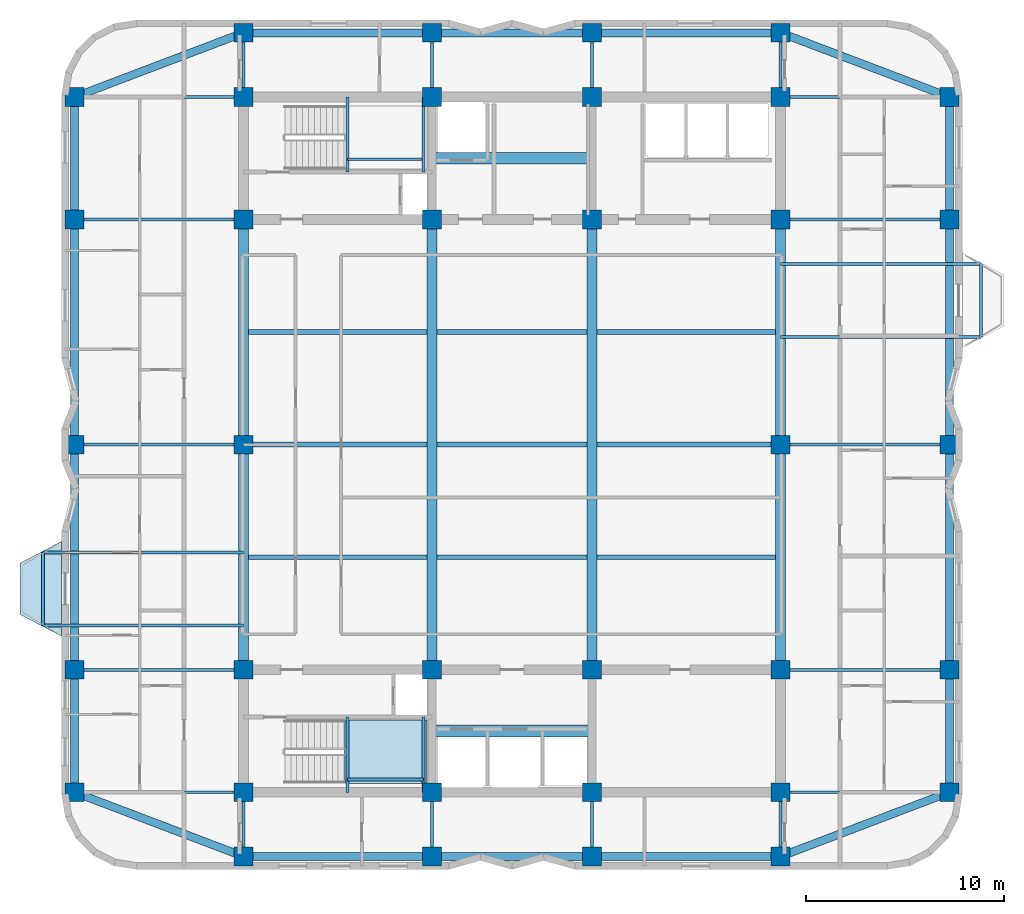
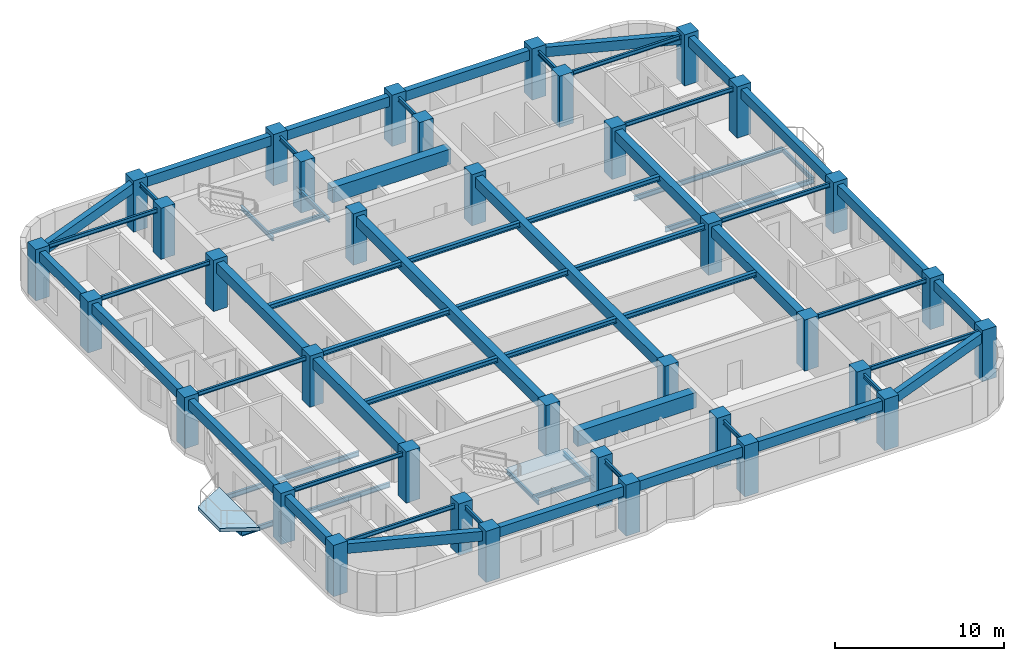
# One storey, part 1 of 8: 65 beams, 36 columns, 2 slabs, 1 element without a shape of its own.
"""IFC4 building model written with IfcOpenShell, lengths in metres."""

from ifc_helpers import new_model, si_unit, direction, frame, origin, origin_2d, place, context, subcontext, project, spatial, polyline, rectangle, i_section, outline, extrude, material, layer, layer_set, material_profile, profile_set, type_object, element, aggregate, save


model = new_model("IFC4")

# Units and contexts
model_context = context("Model", 3, precision=1e-05, world=origin(), true_north=direction((0.0, 1.0)))
body_context = subcontext(model_context, "Body", "Model", "MODEL_VIEW")
ifc_project = project(units=[si_unit("LENGTHUNIT", "METRE"), si_unit("AREAUNIT", "SQUARE_METRE"), si_unit("VOLUMEUNIT", "CUBIC_METRE"), si_unit("PLANEANGLEUNIT", "RADIAN"), si_unit("MASSUNIT", "GRAM", prefix="KILO")], contexts=[model_context])

# Site, building, storey
site_placement = place(None, origin())
site = spatial("IfcSite", under=ifc_project, at=site_placement, CompositionType="ELEMENT")
building_placement = place(site_placement, origin())
building = spatial("IfcBuilding", under=site, at=building_placement, Name="Svetorya Sky Lyceum", CompositionType="ELEMENT")
storey_placement = place(building_placement, frame((0.0, 0.0, 151.5)))
storey = spatial("IfcBuildingStorey", under=building, at=storey_placement, Name="L37", CompositionType="ELEMENT", Elevation=151.5)

# Columns
ifc_material_1 = material(Name="Concrete C50/60", Category="concrete")
ifc_material_profile_1 = material_profile(ifc_material_1, rectangle(XDim=0.949951171875, YDim=0.949951171875, at=origin_2d()), Name="RC COL 950x950")
ifc_profile_set_1 = profile_set([ifc_material_profile_1], Name="Concrete C50/60")
column_type = type_object("IfcColumnType", Name="COL-RC-950", PredefinedType="COLUMN", material=ifc_profile_set_1)
for number, where, z_axis, x_axis, name in (
    (1, (25.60009765625, 10.60009765625, 0.0), (0.0, 0.0, 1.0), (1.0, 0.0, 0.0), "L37 Core Column CS-11"),
    (2, (25.60009765625, 16.800048828125, 0.0), (0.0, 0.0, 1.0), (1.0, 0.0, 0.0), "L37 Core Column CS-12"),
    (3, (35.14990234375, 10.60009765625, 0.0), (0.0, 0.0, 1.0), (1.0, 0.0, 0.0), "L37 Core Column CS-21"),
    (4, (35.14990234375, 16.800048828125, 0.0), (0.0, 0.0, 1.0), (1.0, 0.0, 0.0), "L37 Core Column CS-22"),
    (5, (43.25, 10.60009765625, 0.0), (0.0, 0.0, 1.0), (1.0, 0.0, 0.0), "L37 Core Column CS-31"),
    (6, (43.25, 16.800048828125, 0.0), (0.0, 0.0, 1.0), (1.0, 0.0, 0.0), "L37 Core Column CS-32"),
    (7, (52.800048828125, 10.60009765625, 0.0), (0.0, 0.0, 1.0), (1.0, 0.0, 0.0), "L37 Core Column CS-41"),
    (8, (52.800048828125, 16.800048828125, 0.0), (0.0, 0.0, 1.0), (1.0, 0.0, 0.0), "L37 Core Column CS-42"),
    (9, (25.60009765625, 39.60009765625, 0.0), (0.0, 0.0, 1.0), (1.0, 0.0, 0.0), "L37 Core Column CN-11"),
    (10, (25.60009765625, 45.800048828125, 0.0), (0.0, 0.0, 1.0), (1.0, 0.0, 0.0), "L37 Core Column CN-12"),
    (11, (35.14990234375, 39.60009765625, 0.0), (0.0, 0.0, 1.0), (1.0, 0.0, 0.0), "L37 Core Column CN-21"),
    (12, (35.14990234375, 45.800048828125, 0.0), (0.0, 0.0, 1.0), (1.0, 0.0, 0.0), "L37 Core Column CN-22"),
    (13, (43.25, 39.60009765625, 0.0), (0.0, 0.0, 1.0), (1.0, 0.0, 0.0), "L37 Core Column CN-31"),
    (14, (43.25, 45.800048828125, 0.0), (0.0, 0.0, 1.0), (1.0, 0.0, 0.0), "L37 Core Column CN-32"),
    (15, (52.800048828125, 39.60009765625, 0.0), (0.0, 0.0, 1.0), (1.0, 0.0, 0.0), "L37 Core Column CN-41"),
    (16, (52.800048828125, 45.800048828125, 0.0), (0.0, 0.0, 1.0), (1.0, 0.0, 0.0), "L37 Core Column CN-42"),
    (17, (25.60009765625, 28.199951171875, 0.0), (0.0, 0.0, 1.0), (1.0, 0.0, 0.0), "L37 Core Column CM-W"),
    (18, (52.800048828125, 28.199951171875, 0.0), (0.0, 0.0, 1.0), (1.0, 0.0, 0.0), "L37 Core Column CM-E"),
    (19, (25.60009765625, 7.35009765625, 0.0), (0.0, 0.0, 1.0), (1.0, 0.0, 0.0), "L37 Perimeter Column S1"),
    (20, (25.60009765625, 49.050048828125, 0.0), (0.0, 0.0, 1.0), (1.0, 0.0, 0.0), "L37 Perimeter Column N1"),
    (21, (35.14990234375, 7.35009765625, 0.0), (0.0, 0.0, 1.0), (1.0, 0.0, 0.0), "L37 Perimeter Column S2"),
    (22, (35.14990234375, 49.050048828125, 0.0), (0.0, 0.0, 1.0), (1.0, 0.0, 0.0), "L37 Perimeter Column N2"),
    (23, (43.25, 7.35009765625, 0.0), (0.0, 0.0, 1.0), (1.0, 0.0, 0.0), "L37 Perimeter Column S3"),
    (24, (43.25, 49.050048828125, 0.0), (0.0, 0.0, 1.0), (1.0, 0.0, 0.0), "L37 Perimeter Column N3"),
    (25, (52.800048828125, 7.35009765625, 0.0), (0.0, 0.0, 1.0), (1.0, 0.0, 0.0), "L37 Perimeter Column S4"),
    (26, (52.800048828125, 49.050048828125, 0.0), (0.0, 0.0, 1.0), (1.0, 0.0, 0.0), "L37 Perimeter Column N4"),
    (27, (17.050048828125, 10.60009765625, 0.0), (0.0, 0.0, 1.0), (1.0, 0.0, 0.0), "L37 Perimeter Column W1"),
    (28, (61.35009765625, 10.60009765625, 0.0), (0.0, 0.0, 1.0), (1.0, 0.0, 0.0), "L37 Perimeter Column E1"),
    (29, (17.050048828125, 16.800048828125, 0.0), (0.0, 0.0, 1.0), (1.0, 0.0, 0.0), "L37 Perimeter Column W2"),
    (30, (61.35009765625, 16.800048828125, 0.0), (0.0, 0.0, 1.0), (1.0, 0.0, 0.0), "L37 Perimeter Column E2"),
    (31, (17.050048828125, 28.199951171875, 0.0), (0.0, 0.0, 1.0), (1.0, 0.0, 0.0), "L37 Perimeter Column W3"),
    (32, (61.35009765625, 28.199951171875, 0.0), (0.0, 0.0, 1.0), (1.0, 0.0, 0.0), "L37 Perimeter Column E3"),
    (33, (17.050048828125, 39.60009765625, 0.0), (0.0, 0.0, 1.0), (1.0, 0.0, 0.0), "L37 Perimeter Column W4"),
    (34, (61.35009765625, 39.60009765625, 0.0), (0.0, 0.0, 1.0), (1.0, 0.0, 0.0), "L37 Perimeter Column E4"),
    (35, (17.050048828125, 45.800048828125, 0.0), (0.0, 0.0, 1.0), (1.0, 0.0, 0.0), "L37 Perimeter Column W5"),
    (36, (61.35009765625, 45.800048828125, 0.0), (0.0, 0.0, 1.0), (1.0, 0.0, 0.0), "L37 Perimeter Column E5"),
):
    element("IfcColumn", number, at=place(storey_placement, frame(where, z_axis=z_axis, x_axis=x_axis)), inside=storey, type_object=column_type, Name=name, PredefinedType="COLUMN", context=body_context, shape_type="SweptSolid", body=[
        extrude(rectangle(XDim=0.949951171875, YDim=0.949951171875, at=origin_2d()), origin(), (0.0, 0.0, 1.0), 3.699951171875),
    ])

# Beams
ifc_material_2 = material(Name="Concrete C60/75", Category="concrete")
ifc_material_profile_2 = material_profile(ifc_material_2, rectangle(XDim=0.60009765625, YDim=1.10009765625, at=origin_2d()), Name="RC COUPLING 600x1100")
ifc_profile_set_2 = profile_set([ifc_material_profile_2], Name="Concrete C60/75")
beam_type_1 = type_object("IfcBeamType", Name="BM-CPL-1100", PredefinedType="LINTEL", material=ifc_profile_set_2)
for number, where, z_axis, x_axis, name in (
    (37, (35.14990234375, 13.699951171875, 2.889892578125), (1.0, 0.0, 0.0), (0.0, 1.0, 0.0), "L37 SC Core Coupling Beam"),
    (38, (35.14990234375, 42.699951171875, 2.889892578125), (1.0, 0.0, 0.0), (0.0, 1.0, 0.0), "L37 NC Core Coupling Beam"),
):
    element("IfcBeam", number, at=place(storey_placement, frame(where, z_axis=z_axis, x_axis=x_axis)), inside=storey, type_object=beam_type_1, Name=name, PredefinedType="LINTEL", context=body_context, shape_type="SweptSolid", body=[
        extrude(rectangle(XDim=0.60009765625, YDim=1.10009765625, at=origin_2d()), origin(), (0.0, 0.0, 1.0), 8.10009765625),
    ])
ifc_material_profile_3 = material_profile(ifc_material_1, rectangle(XDim=0.5, YDim=0.75, at=origin_2d()), Name="RC BEAM 500x750")
ifc_profile_set_3 = profile_set([ifc_material_profile_3], Name="Concrete C50/60")
beam_type_2 = type_object("IfcBeamType", Name="BM-RC-750", PredefinedType="BEAM", material=ifc_profile_set_3)
beam_1_placement = place(storey_placement, frame((25.60009765625, 16.800048828125, 3.06494140625), z_axis=(0.0, 1.0, 0.0), x_axis=(-1.0, 0.0, 0.0)))
element("IfcBeam", 39, at=beam_1_placement, inside=storey, type_object=beam_type_2, Name="L37 Central Bay Primary Girder CG-1A", PredefinedType="BEAM", context=body_context, shape_type="SweptSolid", body=[
    extrude(rectangle(XDim=0.5, YDim=0.75, at=origin_2d()), origin(), (0.0, 0.0, 1.0), 11.39990234375),
])
beam_2_placement = place(storey_placement, frame((25.60009765625, 28.199951171875, 3.06494140625), z_axis=(0.0, 1.0, 0.0), x_axis=(-1.0, 0.0, 0.0)))
element("IfcBeam", 40, at=beam_2_placement, inside=storey, type_object=beam_type_2, Name="L37 Central Bay Primary Girder CG-1B", PredefinedType="BEAM", context=body_context, shape_type="SweptSolid", body=[
    extrude(rectangle(XDim=0.5, YDim=0.75, at=origin_2d()), origin(), (0.0, 0.0, 1.0), 11.400146484375),
])
for number, where, z_axis, x_axis, name in (
    (41, (35.14990234375, 16.800048828125, 3.06494140625), (0.0, 1.0, 0.0), (-1.0, 0.0, 0.0), "L37 Central Bay Primary Girder CG-2"),
    (42, (43.25, 16.800048828125, 3.06494140625), (0.0, 1.0, 0.0), (-1.0, 0.0, 0.0), "L37 Central Bay Primary Girder CG-3"),
):
    element("IfcBeam", number, at=place(storey_placement, frame(where, z_axis=z_axis, x_axis=x_axis)), inside=storey, type_object=beam_type_2, Name=name, PredefinedType="BEAM", context=body_context, shape_type="SweptSolid", body=[
        extrude(rectangle(XDim=0.5, YDim=0.75, at=origin_2d()), origin(), (0.0, 0.0, 1.0), 22.800048828125),
    ])
beam_3_placement = place(storey_placement, frame((52.800048828125, 16.800048828125, 3.06494140625), z_axis=(0.0, 1.0, 0.0), x_axis=(-1.0, 0.0, 0.0)))
element("IfcBeam", 43, at=beam_3_placement, inside=storey, type_object=beam_type_2, Name="L37 Central Bay Primary Girder CG-4A", PredefinedType="BEAM", context=body_context, shape_type="SweptSolid", body=[
    extrude(rectangle(XDim=0.5, YDim=0.75, at=origin_2d()), origin(), (0.0, 0.0, 1.0), 11.39990234375),
])
beam_4_placement = place(storey_placement, frame((52.800048828125, 28.199951171875, 3.06494140625), z_axis=(0.0, 1.0, 0.0), x_axis=(-1.0, 0.0, 0.0)))
element("IfcBeam", 44, at=beam_4_placement, inside=storey, type_object=beam_type_2, Name="L37 Central Bay Primary Girder CG-4B", PredefinedType="BEAM", context=body_context, shape_type="SweptSolid", body=[
    extrude(rectangle(XDim=0.5, YDim=0.75, at=origin_2d()), origin(), (0.0, 0.0, 1.0), 11.400146484375),
])
ifc_material_profile_4 = material_profile(ifc_material_1, rectangle(XDim=0.39990234375, YDim=0.699951171875, at=origin_2d()), Name="RC SPANDREL 400x700")
ifc_profile_set_4 = profile_set([ifc_material_profile_4], Name="Concrete C50/60")
beam_type_3 = type_object("IfcBeamType", Name="BM-SPN-700", PredefinedType="SPANDREL", material=ifc_profile_set_4)
beam_5_placement = place(storey_placement, frame((25.60009765625, 7.35009765625, 3.090087890625), z_axis=(1.0, 0.0, 0.0), x_axis=(0.0, 1.0, 0.0)))
element("IfcBeam", 45, at=beam_5_placement, inside=storey, type_object=beam_type_3, Name="L37 South Spandrel 1", PredefinedType="SPANDREL", context=body_context, shape_type="SweptSolid", body=[
    extrude(rectangle(XDim=0.39990234375, YDim=0.699951171875, at=origin_2d()), origin(), (0.0, 0.0, 1.0), 9.5498046875),
])
beam_6_placement = place(storey_placement, frame((35.14990234375, 7.35009765625, 3.090087890625), z_axis=(1.0, 0.0, 0.0), x_axis=(0.0, 1.0, 0.0)))
element("IfcBeam", 46, at=beam_6_placement, inside=storey, type_object=beam_type_3, Name="L37 South Spandrel 2", PredefinedType="SPANDREL", context=body_context, shape_type="SweptSolid", body=[
    extrude(rectangle(XDim=0.39990234375, YDim=0.699951171875, at=origin_2d()), origin(), (0.0, 0.0, 1.0), 8.10009765625),
])
beam_7_placement = place(storey_placement, frame((43.25, 7.35009765625, 3.090087890625), z_axis=(1.0, 0.0, 0.0), x_axis=(0.0, 1.0, 0.0)))
element("IfcBeam", 47, at=beam_7_placement, inside=storey, type_object=beam_type_3, Name="L37 South Spandrel 3", PredefinedType="SPANDREL", context=body_context, shape_type="SweptSolid", body=[
    extrude(rectangle(XDim=0.39990234375, YDim=0.699951171875, at=origin_2d()), origin(), (0.0, 0.0, 1.0), 9.550048828125),
])
beam_8_placement = place(storey_placement, frame((25.60009765625, 49.050048828125, 3.090087890625), z_axis=(1.0, 0.0, 0.0), x_axis=(0.0, 1.0, 0.0)))
element("IfcBeam", 48, at=beam_8_placement, inside=storey, type_object=beam_type_3, Name="L37 North Spandrel 1", PredefinedType="SPANDREL", context=body_context, shape_type="SweptSolid", body=[
    extrude(rectangle(XDim=0.39990234375, YDim=0.699951171875, at=origin_2d()), origin(), (0.0, 0.0, 1.0), 9.5498046875),
])
beam_9_placement = place(storey_placement, frame((35.14990234375, 49.050048828125, 3.090087890625), z_axis=(1.0, 0.0, 0.0), x_axis=(0.0, 1.0, 0.0)))
element("IfcBeam", 49, at=beam_9_placement, inside=storey, type_object=beam_type_3, Name="L37 North Spandrel 2", PredefinedType="SPANDREL", context=body_context, shape_type="SweptSolid", body=[
    extrude(rectangle(XDim=0.39990234375, YDim=0.699951171875, at=origin_2d()), origin(), (0.0, 0.0, 1.0), 8.10009765625),
])
beam_10_placement = place(storey_placement, frame((43.25, 49.050048828125, 3.090087890625), z_axis=(1.0, 0.0, 0.0), x_axis=(0.0, 1.0, 0.0)))
element("IfcBeam", 50, at=beam_10_placement, inside=storey, type_object=beam_type_3, Name="L37 North Spandrel 3", PredefinedType="SPANDREL", context=body_context, shape_type="SweptSolid", body=[
    extrude(rectangle(XDim=0.39990234375, YDim=0.699951171875, at=origin_2d()), origin(), (0.0, 0.0, 1.0), 9.550048828125),
])
for number, where, z_axis, x_axis, name in (
    (51, (25.60009765625, 7.35009765625, 3.090087890625), (-0.934747947367, 0.355311518099, 0.0), (-0.355311518099, -0.934747947367, 0.0), "L37 Corner Spandrel 1"),
    (52, (52.800048828125, 7.35009765625, 3.090087890625), (0.934747947367, 0.355311518099, 0.0), (-0.355311518099, 0.934747947367, 0.0), "L37 Corner Spandrel 2"),
    (53, (61.35009765625, 45.800048828125, 3.090087890625), (-0.934747947367, 0.355311518099, 0.0), (-0.355311518099, -0.934747947367, 0.0), "L37 Corner Spandrel 3"),
    (54, (17.050048828125, 45.800048828125, 3.090087890625), (0.934747947367, 0.355311518099, 0.0), (-0.355311518099, 0.934747947367, 0.0), "L37 Corner Spandrel 4"),
):
    element("IfcBeam", number, at=place(storey_placement, frame(where, z_axis=z_axis, x_axis=x_axis)), inside=storey, type_object=beam_type_3, Name=name, PredefinedType="SPANDREL", context=body_context, shape_type="SweptSolid", body=[
        extrude(rectangle(XDim=0.39990234375, YDim=0.699951171875, at=origin_2d()), origin(), (0.0, 0.0, 1.0), 9.14697265625),
    ])
beam_11_placement = place(storey_placement, frame((17.050048828125, 10.60009765625, 3.090087890625), z_axis=(0.0, 1.0, 0.0), x_axis=(-1.0, 0.0, 0.0)))
element("IfcBeam", 55, at=beam_11_placement, inside=storey, type_object=beam_type_3, Name="L37 West Spandrel 1", PredefinedType="SPANDREL", context=body_context, shape_type="SweptSolid", body=[
    extrude(rectangle(XDim=0.39990234375, YDim=0.699951171875, at=origin_2d()), origin(), (0.0, 0.0, 1.0), 6.199951171875),
])
beam_12_placement = place(storey_placement, frame((17.050048828125, 16.800048828125, 3.090087890625), z_axis=(0.0, 1.0, 0.0), x_axis=(-1.0, 0.0, 0.0)))
element("IfcBeam", 56, at=beam_12_placement, inside=storey, type_object=beam_type_3, Name="L37 West Spandrel 2", PredefinedType="SPANDREL", context=body_context, shape_type="SweptSolid", body=[
    extrude(rectangle(XDim=0.39990234375, YDim=0.699951171875, at=origin_2d()), origin(), (0.0, 0.0, 1.0), 11.39990234375),
])
beam_13_placement = place(storey_placement, frame((17.050048828125, 28.199951171875, 3.090087890625), z_axis=(0.0, 1.0, 0.0), x_axis=(-1.0, 0.0, 0.0)))
element("IfcBeam", 57, at=beam_13_placement, inside=storey, type_object=beam_type_3, Name="L37 West Spandrel 3", PredefinedType="SPANDREL", context=body_context, shape_type="SweptSolid", body=[
    extrude(rectangle(XDim=0.39990234375, YDim=0.699951171875, at=origin_2d()), origin(), (0.0, 0.0, 1.0), 11.400146484375),
])
for number, where, z_axis, x_axis, name in (
    (58, (17.050048828125, 39.60009765625, 3.090087890625), (0.0, 1.0, 0.0), (-1.0, 0.0, 0.0), "L37 West Spandrel 4"),
    (59, (61.35009765625, 10.60009765625, 3.090087890625), (0.0, 1.0, 0.0), (-1.0, 0.0, 0.0), "L37 East Spandrel 1"),
):
    element("IfcBeam", number, at=place(storey_placement, frame(where, z_axis=z_axis, x_axis=x_axis)), inside=storey, type_object=beam_type_3, Name=name, PredefinedType="SPANDREL", context=body_context, shape_type="SweptSolid", body=[
        extrude(rectangle(XDim=0.39990234375, YDim=0.699951171875, at=origin_2d()), origin(), (0.0, 0.0, 1.0), 6.199951171875),
    ])
beam_14_placement = place(storey_placement, frame((61.35009765625, 16.800048828125, 3.090087890625), z_axis=(0.0, 1.0, 0.0), x_axis=(-1.0, 0.0, 0.0)))
element("IfcBeam", 60, at=beam_14_placement, inside=storey, type_object=beam_type_3, Name="L37 East Spandrel 2", PredefinedType="SPANDREL", context=body_context, shape_type="SweptSolid", body=[
    extrude(rectangle(XDim=0.39990234375, YDim=0.699951171875, at=origin_2d()), origin(), (0.0, 0.0, 1.0), 11.39990234375),
])
beam_15_placement = place(storey_placement, frame((61.35009765625, 28.199951171875, 3.090087890625), z_axis=(0.0, 1.0, 0.0), x_axis=(-1.0, 0.0, 0.0)))
element("IfcBeam", 61, at=beam_15_placement, inside=storey, type_object=beam_type_3, Name="L37 East Spandrel 3", PredefinedType="SPANDREL", context=body_context, shape_type="SweptSolid", body=[
    extrude(rectangle(XDim=0.39990234375, YDim=0.699951171875, at=origin_2d()), origin(), (0.0, 0.0, 1.0), 11.400146484375),
])
beam_16_placement = place(storey_placement, frame((61.35009765625, 39.60009765625, 3.090087890625), z_axis=(0.0, 1.0, 0.0), x_axis=(-1.0, 0.0, 0.0)))
element("IfcBeam", 62, at=beam_16_placement, inside=storey, type_object=beam_type_3, Name="L37 East Spandrel 4", PredefinedType="SPANDREL", context=body_context, shape_type="SweptSolid", body=[
    extrude(rectangle(XDim=0.39990234375, YDim=0.699951171875, at=origin_2d()), origin(), (0.0, 0.0, 1.0), 6.199951171875),
])
ifc_material_3 = material(Name="Steel S355", Category="steel")
ifc_material_profile_5 = material_profile(ifc_material_3, i_section(OverallWidth=0.14990234375, OverallDepth=0.299072265625, WebThickness=0.006591796875, FlangeThickness=0.010498046875, at=origin_2d()), Name="GOST 30B2")
ifc_profile_set_5 = profile_set([ifc_material_profile_5], Name="Steel S355")
beam_type_4 = type_object("IfcBeamType", Name="BM-STL-30B2", PredefinedType="JOIST", material=ifc_profile_set_5)
beam_17_placement = place(storey_placement, frame((15.449951171875, 19.050048828125, -0.4345703125), z_axis=(0.0, 1.0, 0.0), x_axis=(-1.0, 0.0, 0.0)))
element("IfcBeam", 63, at=beam_17_placement, inside=storey, type_object=beam_type_4, Name="L37 Balcony Edge Tie BAL-W1", PredefinedType="JOIST", context=body_context, shape_type="SweptSolid", body=[
    extrude(i_section(OverallWidth=0.14990234375, OverallDepth=0.299072265625, WebThickness=0.006591796875, FlangeThickness=0.010498046875, at=origin_2d()), origin(), (0.0, 0.0, 1.0), 3.699951171875),
])
beam_18_placement = place(storey_placement, frame((62.949951171875, 33.64990234375, -0.4345703125), z_axis=(0.0, 1.0, 0.0), x_axis=(-1.0, 0.0, 0.0)))
element("IfcBeam", 64, at=beam_18_placement, inside=storey, type_object=beam_type_4, Name="L37 Balcony Edge Tie BAL-E1", PredefinedType="JOIST", context=body_context, shape_type="SweptSolid", body=[
    extrude(i_section(OverallWidth=0.14990234375, OverallDepth=0.299072265625, WebThickness=0.006591796875, FlangeThickness=0.010498046875, at=origin_2d()), origin(), (0.0, 0.0, 1.0), 3.7001953125),
])
for number, where, z_axis, x_axis, name in (
    (65, (17.050048828125, 10.60009765625, 3.29052734375), (1.0, 0.0, 0.0), (0.0, 1.0, 0.0), "L37 West Wing Floor Joist W1"),
    (66, (52.800048828125, 10.60009765625, 3.29052734375), (1.0, 0.0, 0.0), (0.0, 1.0, 0.0), "L37 East Wing Floor Joist E1"),
    (67, (17.050048828125, 16.800048828125, 3.29052734375), (1.0, 0.0, 0.0), (0.0, 1.0, 0.0), "L37 West Wing Floor Joist W2"),
    (68, (52.800048828125, 16.800048828125, 3.29052734375), (1.0, 0.0, 0.0), (0.0, 1.0, 0.0), "L37 East Wing Floor Joist E2"),
    (69, (17.050048828125, 28.199951171875, 3.29052734375), (1.0, 0.0, 0.0), (0.0, 1.0, 0.0), "L37 West Wing Floor Joist W3"),
    (70, (52.800048828125, 28.199951171875, 3.29052734375), (1.0, 0.0, 0.0), (0.0, 1.0, 0.0), "L37 East Wing Floor Joist E3"),
    (71, (17.050048828125, 39.60009765625, 3.29052734375), (1.0, 0.0, 0.0), (0.0, 1.0, 0.0), "L37 West Wing Floor Joist W4"),
    (72, (52.800048828125, 39.60009765625, 3.29052734375), (1.0, 0.0, 0.0), (0.0, 1.0, 0.0), "L37 East Wing Floor Joist E4"),
    (73, (17.050048828125, 45.800048828125, 3.29052734375), (1.0, 0.0, 0.0), (0.0, 1.0, 0.0), "L37 West Wing Floor Joist W5"),
    (74, (52.800048828125, 45.800048828125, 3.29052734375), (1.0, 0.0, 0.0), (0.0, 1.0, 0.0), "L37 East Wing Floor Joist E5"),
):
    element("IfcBeam", number, at=place(storey_placement, frame(where, z_axis=z_axis, x_axis=x_axis)), inside=storey, type_object=beam_type_4, Name=name, PredefinedType="JOIST", context=body_context, shape_type="SweptSolid", body=[
        extrude(i_section(OverallWidth=0.14990234375, OverallDepth=0.299072265625, WebThickness=0.006591796875, FlangeThickness=0.010498046875, at=origin_2d()), origin(), (0.0, 0.0, 1.0), 8.550048828125),
    ])
for number, where, z_axis, x_axis, name in (
    (75, (25.60009765625, 7.35009765625, 3.29052734375), (0.0, 1.0, 0.0), (-1.0, 0.0, 0.0), "L37 South Bay Floor Girder S1"),
    (76, (25.60009765625, 45.800048828125, 3.29052734375), (0.0, 1.0, 0.0), (-1.0, 0.0, 0.0), "L37 North Bay Floor Girder N1"),
    (77, (35.14990234375, 7.35009765625, 3.29052734375), (0.0, 1.0, 0.0), (-1.0, 0.0, 0.0), "L37 South Bay Floor Girder S2"),
    (78, (35.14990234375, 45.800048828125, 3.29052734375), (0.0, 1.0, 0.0), (-1.0, 0.0, 0.0), "L37 North Bay Floor Girder N2"),
    (79, (43.25, 7.35009765625, 3.29052734375), (0.0, 1.0, 0.0), (-1.0, 0.0, 0.0), "L37 South Bay Floor Girder S3"),
    (80, (43.25, 45.800048828125, 3.29052734375), (0.0, 1.0, 0.0), (-1.0, 0.0, 0.0), "L37 North Bay Floor Girder N3"),
    (81, (52.800048828125, 7.35009765625, 3.29052734375), (0.0, 1.0, 0.0), (-1.0, 0.0, 0.0), "L37 South Bay Floor Girder S4"),
    (82, (52.800048828125, 45.800048828125, 3.29052734375), (0.0, 1.0, 0.0), (-1.0, 0.0, 0.0), "L37 North Bay Floor Girder N4"),
):
    element("IfcBeam", number, at=place(storey_placement, frame(where, z_axis=z_axis, x_axis=x_axis)), inside=storey, type_object=beam_type_4, Name=name, PredefinedType="JOIST", context=body_context, shape_type="SweptSolid", body=[
        extrude(i_section(OverallWidth=0.14990234375, OverallDepth=0.299072265625, WebThickness=0.006591796875, FlangeThickness=0.010498046875, at=origin_2d()), origin(), (0.0, 0.0, 1.0), 3.25),
    ])
for number, where, z_axis, x_axis, name in (
    (83, (30.8798828125, 10.60009765625, 1.50048828125), (0.0, 1.0, 0.0), (-1.0, 0.0, 0.0), "L37 Stair ST-S Half-Landing Support Beam 43.1"),
    (84, (34.719970703125, 10.60009765625, 1.50048828125), (0.0, 1.0, 0.0), (-1.0, 0.0, 0.0), "L37 Stair ST-S Half-Landing Support Beam 43.2"),
):
    element("IfcBeam", number, at=place(storey_placement, frame(where, z_axis=z_axis, x_axis=x_axis)), inside=storey, type_object=beam_type_4, Name=name, PredefinedType="JOIST", context=body_context, shape_type="SweptSolid", body=[
        extrude(i_section(OverallWidth=0.14990234375, OverallDepth=0.299072265625, WebThickness=0.006591796875, FlangeThickness=0.010498046875, at=origin_2d()), origin(), (0.0, 0.0, 1.0), 3.7998046875),
    ])
beam_19_placement = place(storey_placement, frame((30.8798828125, 11.25, 1.50048828125), z_axis=(1.0, 0.0, 0.0), x_axis=(0.0, 1.0, 0.0)))
element("IfcBeam", 85, at=beam_19_placement, inside=storey, type_object=beam_type_4, Name="L37 Stair ST-S Half-Landing Cross Tie 43", PredefinedType="JOIST", context=body_context, shape_type="SweptSolid", body=[
    extrude(i_section(OverallWidth=0.14990234375, OverallDepth=0.299072265625, WebThickness=0.006591796875, FlangeThickness=0.010498046875, at=origin_2d()), origin(), (0.0, 0.0, 1.0), 3.840087890625),
])
for number, where, z_axis, x_axis, name in (
    (86, (30.8798828125, 42.0, 1.50048828125), (0.0, 1.0, 0.0), (-1.0, 0.0, 0.0), "L37 Stair ST-N Half-Landing Support Beam 43.1"),
    (87, (34.719970703125, 42.0, 1.50048828125), (0.0, 1.0, 0.0), (-1.0, 0.0, 0.0), "L37 Stair ST-N Half-Landing Support Beam 43.2"),
):
    element("IfcBeam", number, at=place(storey_placement, frame(where, z_axis=z_axis, x_axis=x_axis)), inside=storey, type_object=beam_type_4, Name=name, PredefinedType="JOIST", context=body_context, shape_type="SweptSolid", body=[
        extrude(i_section(OverallWidth=0.14990234375, OverallDepth=0.299072265625, WebThickness=0.006591796875, FlangeThickness=0.010498046875, at=origin_2d()), origin(), (0.0, 0.0, 1.0), 3.800048828125),
    ])
beam_20_placement = place(storey_placement, frame((30.8798828125, 42.64990234375, 1.50048828125), z_axis=(1.0, 0.0, 0.0), x_axis=(0.0, 1.0, 0.0)))
element("IfcBeam", 88, at=beam_20_placement, inside=storey, type_object=beam_type_4, Name="L37 Stair ST-N Half-Landing Cross Tie 43", PredefinedType="JOIST", context=body_context, shape_type="SweptSolid", body=[
    extrude(i_section(OverallWidth=0.14990234375, OverallDepth=0.299072265625, WebThickness=0.006591796875, FlangeThickness=0.010498046875, at=origin_2d()), origin(), (0.0, 0.0, 1.0), 3.840087890625),
])
ifc_material_profile_6 = material_profile(ifc_material_3, i_section(OverallWidth=0.155029296875, OverallDepth=0.34912109375, WebThickness=0.007080078125, FlangeThickness=0.011474609375, at=origin_2d()), Name="GOST 35B2")
ifc_profile_set_6 = profile_set([ifc_material_profile_6], Name="Steel S355")
beam_type_5 = type_object("IfcBeamType", Name="BM-STL-35B2", PredefinedType="JOIST", material=ifc_profile_set_6)
for number, where, z_axis, x_axis, name in (
    (89, (25.60009765625, 19.050048828125, -0.4345703125), (-1.0, 0.0, 0.0), (0.0, -1.0, 0.0), "L37 Balcony Cantilever Beam BAL-W1-1"),
    (90, (25.60009765625, 22.75, -0.4345703125), (-1.0, 0.0, 0.0), (0.0, -1.0, 0.0), "L37 Balcony Cantilever Beam BAL-W1-2"),
):
    element("IfcBeam", number, at=place(storey_placement, frame(where, z_axis=z_axis, x_axis=x_axis)), inside=storey, type_object=beam_type_5, Name=name, PredefinedType="JOIST", context=body_context, shape_type="SweptSolid", body=[
        extrude(i_section(OverallWidth=0.155029296875, OverallDepth=0.34912109375, WebThickness=0.007080078125, FlangeThickness=0.011474609375, at=origin_2d()), origin(), (0.0, 0.0, 1.0), 10.150146484375),
    ])
for number, where, z_axis, x_axis, name in (
    (91, (52.800048828125, 33.64990234375, -0.4345703125), (1.0, 0.0, 0.0), (0.0, 1.0, 0.0), "L37 Balcony Cantilever Beam BAL-E1-1"),
    (92, (52.800048828125, 37.35009765625, -0.4345703125), (1.0, 0.0, 0.0), (0.0, 1.0, 0.0), "L37 Balcony Cantilever Beam BAL-E1-2"),
):
    element("IfcBeam", number, at=place(storey_placement, frame(where, z_axis=z_axis, x_axis=x_axis)), inside=storey, type_object=beam_type_5, Name=name, PredefinedType="JOIST", context=body_context, shape_type="SweptSolid", body=[
        extrude(i_section(OverallWidth=0.155029296875, OverallDepth=0.34912109375, WebThickness=0.007080078125, FlangeThickness=0.011474609375, at=origin_2d()), origin(), (0.0, 0.0, 1.0), 10.14990234375),
    ])
ifc_material_profile_7 = material_profile(ifc_material_3, i_section(OverallWidth=0.25, OverallDepth=0.345947265625, WebThickness=0.009521484375, FlangeThickness=0.014404296875, at=origin_2d()), Name="GOST 35Sh2")
ifc_profile_set_7 = profile_set([ifc_material_profile_7], Name="Steel S355")
beam_type_6 = type_object("IfcBeamType", Name="BM-STL-35SH2", PredefinedType="BEAM", material=ifc_profile_set_7)
beam_21_placement = place(storey_placement, frame((25.85009765625, 22.5, 3.26708984375), z_axis=(1.0, 0.0, 0.0), x_axis=(0.0, 1.0, 0.0)))
element("IfcBeam", 93, at=beam_21_placement, inside=storey, type_object=beam_type_6, Name="L37 Central Floor Joist CJ-1.1", PredefinedType="BEAM", context=body_context, shape_type="SweptSolid", body=[
    extrude(i_section(OverallWidth=0.25, OverallDepth=0.345947265625, WebThickness=0.009521484375, FlangeThickness=0.014404296875, at=origin_2d()), origin(), (0.0, 0.0, 1.0), 9.0498046875),
])
beam_22_placement = place(storey_placement, frame((35.39990234375, 22.5, 3.26708984375), z_axis=(1.0, 0.0, 0.0), x_axis=(0.0, 1.0, 0.0)))
element("IfcBeam", 94, at=beam_22_placement, inside=storey, type_object=beam_type_6, Name="L37 Central Floor Joist CJ-1.2", PredefinedType="BEAM", context=body_context, shape_type="SweptSolid", body=[
    extrude(i_section(OverallWidth=0.25, OverallDepth=0.345947265625, WebThickness=0.009521484375, FlangeThickness=0.014404296875, at=origin_2d()), origin(), (0.0, 0.0, 1.0), 7.60009765625),
])
beam_23_placement = place(storey_placement, frame((43.5, 22.5, 3.26708984375), z_axis=(1.0, 0.0, 0.0), x_axis=(0.0, 1.0, 0.0)))
element("IfcBeam", 95, at=beam_23_placement, inside=storey, type_object=beam_type_6, Name="L37 Central Floor Joist CJ-1.3", PredefinedType="BEAM", context=body_context, shape_type="SweptSolid", body=[
    extrude(i_section(OverallWidth=0.25, OverallDepth=0.345947265625, WebThickness=0.009521484375, FlangeThickness=0.014404296875, at=origin_2d()), origin(), (0.0, 0.0, 1.0), 9.050048828125),
])
beam_24_placement = place(storey_placement, frame((25.85009765625, 28.199951171875, 3.26708984375), z_axis=(1.0, 0.0, 0.0), x_axis=(0.0, 1.0, 0.0)))
element("IfcBeam", 96, at=beam_24_placement, inside=storey, type_object=beam_type_6, Name="L37 Central Floor Joist CJ-2.1", PredefinedType="BEAM", context=body_context, shape_type="SweptSolid", body=[
    extrude(i_section(OverallWidth=0.25, OverallDepth=0.345947265625, WebThickness=0.009521484375, FlangeThickness=0.014404296875, at=origin_2d()), origin(), (0.0, 0.0, 1.0), 9.0498046875),
])
beam_25_placement = place(storey_placement, frame((35.39990234375, 28.199951171875, 3.26708984375), z_axis=(1.0, 0.0, 0.0), x_axis=(0.0, 1.0, 0.0)))
element("IfcBeam", 97, at=beam_25_placement, inside=storey, type_object=beam_type_6, Name="L37 Central Floor Joist CJ-2.2", PredefinedType="BEAM", context=body_context, shape_type="SweptSolid", body=[
    extrude(i_section(OverallWidth=0.25, OverallDepth=0.345947265625, WebThickness=0.009521484375, FlangeThickness=0.014404296875, at=origin_2d()), origin(), (0.0, 0.0, 1.0), 7.60009765625),
])
beam_26_placement = place(storey_placement, frame((43.5, 28.199951171875, 3.26708984375), z_axis=(1.0, 0.0, 0.0), x_axis=(0.0, 1.0, 0.0)))
element("IfcBeam", 98, at=beam_26_placement, inside=storey, type_object=beam_type_6, Name="L37 Central Floor Joist CJ-2.3", PredefinedType="BEAM", context=body_context, shape_type="SweptSolid", body=[
    extrude(i_section(OverallWidth=0.25, OverallDepth=0.345947265625, WebThickness=0.009521484375, FlangeThickness=0.014404296875, at=origin_2d()), origin(), (0.0, 0.0, 1.0), 9.050048828125),
])
beam_27_placement = place(storey_placement, frame((25.85009765625, 33.89990234375, 3.26708984375), z_axis=(1.0, 0.0, 0.0), x_axis=(0.0, 1.0, 0.0)))
element("IfcBeam", 99, at=beam_27_placement, inside=storey, type_object=beam_type_6, Name="L37 Central Floor Joist CJ-3.1", PredefinedType="BEAM", context=body_context, shape_type="SweptSolid", body=[
    extrude(i_section(OverallWidth=0.25, OverallDepth=0.345947265625, WebThickness=0.009521484375, FlangeThickness=0.014404296875, at=origin_2d()), origin(), (0.0, 0.0, 1.0), 9.0498046875),
])
beam_28_placement = place(storey_placement, frame((35.39990234375, 33.89990234375, 3.26708984375), z_axis=(1.0, 0.0, 0.0), x_axis=(0.0, 1.0, 0.0)))
element("IfcBeam", 100, at=beam_28_placement, inside=storey, type_object=beam_type_6, Name="L37 Central Floor Joist CJ-3.2", PredefinedType="BEAM", context=body_context, shape_type="SweptSolid", body=[
    extrude(i_section(OverallWidth=0.25, OverallDepth=0.345947265625, WebThickness=0.009521484375, FlangeThickness=0.014404296875, at=origin_2d()), origin(), (0.0, 0.0, 1.0), 7.60009765625),
])
beam_29_placement = place(storey_placement, frame((43.5, 33.89990234375, 3.26708984375), z_axis=(1.0, 0.0, 0.0), x_axis=(0.0, 1.0, 0.0)))
element("IfcBeam", 101, at=beam_29_placement, inside=storey, type_object=beam_type_6, Name="L37 Central Floor Joist CJ-3.3", PredefinedType="BEAM", context=body_context, shape_type="SweptSolid", body=[
    extrude(i_section(OverallWidth=0.25, OverallDepth=0.345947265625, WebThickness=0.009521484375, FlangeThickness=0.014404296875, at=origin_2d()), origin(), (0.0, 0.0, 1.0), 9.050048828125),
])

# Slab
ifc_material_4 = material(Name="Concrete C40/50", Category="concrete")
ifc_layer_1 = layer(ifc_material_4, 0.260009765625)
ifc_layer_set_1 = layer_set([ifc_layer_1], Name="Concrete C40/50")
slab_type_1 = type_object("IfcSlabType", Name="SL-BAL-260", PredefinedType="FLOOR", material=ifc_layer_set_1)
slab_1_placement = place(storey_placement, frame((0.0, 0.0, -0.260009765625)))
element("IfcSlab", 102, at=slab_1_placement, inside=storey, type_object=slab_type_1, Name="L37 Chamfered Loggia Balcony BAL-W1", PredefinedType="FLOOR", context=body_context, shape_type="SweptSolid", body=[
    extrude(outline(polyline([(16.389892578125, 18.5), (16.389892578125, 23.300048828125), (14.2900390625, 22.199951171875), (14.2900390625, 19.60009765625), (16.389892578125, 18.5)])), origin(), (0.0, 0.0, 1.0), 0.260009765625),
])

# Stair, slab
stair_type = type_object("IfcStairType", Name="STR-ST-S", PredefinedType="HALF_TURN_STAIR", material=ifc_material_4)
stair_placement = place(storey_placement, origin())
stair = element("IfcStair", 103, at=stair_placement, inside=storey, type_object=stair_type, Name="L37 South Core Smoke-Free Exit Stair N2", PredefinedType="HALF_TURN_STAIR")
ifc_layer_2 = layer(ifc_material_4, 0.199951171875)
ifc_layer_set_2 = layer_set([ifc_layer_2], Name="Concrete C40/50")
slab_type_2 = type_object("IfcSlabType", Name="SL-STR-LAND-200", PredefinedType="LANDING", material=ifc_layer_set_2)
slab_2_placement = place(storey_placement, frame((0.0, 0.0, 1.64990234375)))
slab_2 = element("IfcSlab", 104, at=slab_2_placement, type_object=slab_type_2, Name="ST-S landing 1", PredefinedType="LANDING", context=body_context, shape_type="SweptSolid", body=[
    extrude(outline(polyline([(30.699951171875, 11.050048828125), (34.89990234375, 11.050048828125), (34.89990234375, 14.25), (30.699951171875, 14.25), (30.699951171875, 11.050048828125)])), origin(), (0.0, 0.0, 1.0), 0.2001953125),
])
aggregate(stair, [slab_2])

save(model, "model.ifc")
